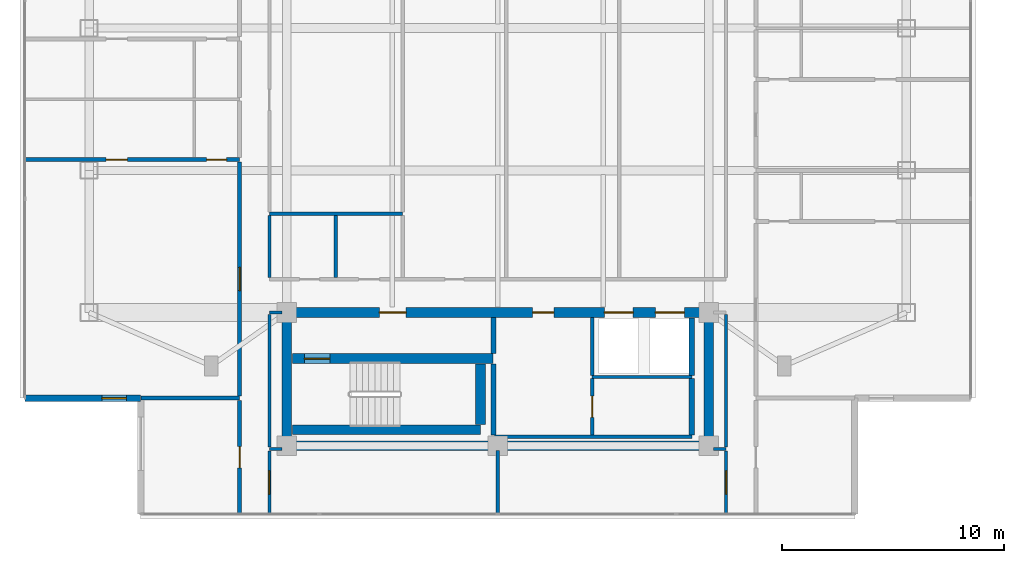
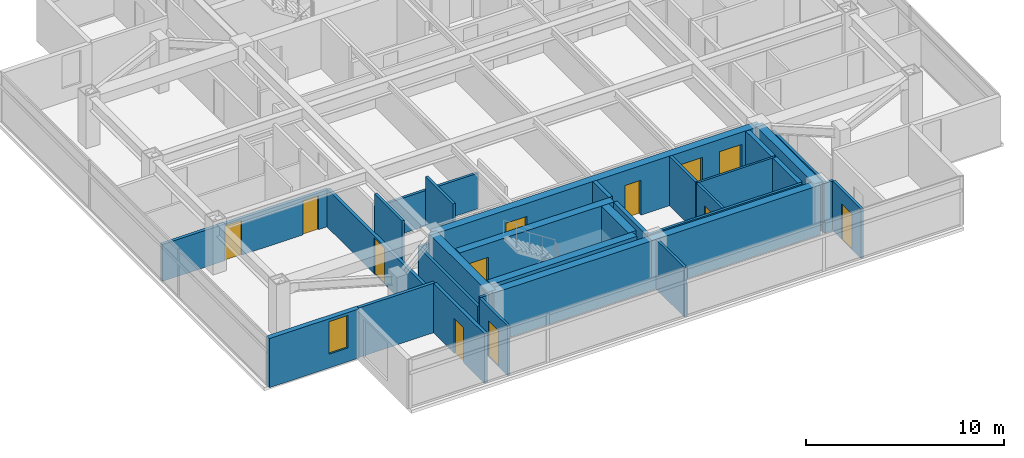
# One storey, part 11 of 21: 31 walls, 12 doors, 1 window, 13 openings.
"""IFC4 building model written with IfcOpenShell, lengths in metres."""

from ifc_helpers import new_model, si_unit, direction, frame, frame_2d, origin, place, context, subcontext, project, spatial, rectangle, extrude, material, layer, layer_set, type_object, element, fill, save


model = new_model("IFC4")

# Units and contexts
model_context = context("Model", 3, precision=1e-05, world=origin(), true_north=direction((0.0, 1.0)))
body_context = subcontext(model_context, "Body", "Model", "MODEL_VIEW")
ifc_project = project(units=[si_unit("LENGTHUNIT", "METRE"), si_unit("AREAUNIT", "SQUARE_METRE"), si_unit("VOLUMEUNIT", "CUBIC_METRE"), si_unit("PLANEANGLEUNIT", "RADIAN"), si_unit("MASSUNIT", "GRAM", prefix="KILO")], contexts=[model_context])

# Site, building, storey
site_placement = place(None, origin())
site = spatial("IfcSite", under=ifc_project, at=site_placement, CompositionType="ELEMENT")
building_placement = place(site_placement, origin())
building = spatial("IfcBuilding", under=site, at=building_placement, Name="Mirazonda Arch Towers", CompositionType="ELEMENT")
storey_placement = place(building_placement, frame((0.0, 0.0, 206.39990234375)))
storey = spatial("IfcBuildingStorey", under=building, at=storey_placement, Name="L59", CompositionType="ELEMENT", Elevation=206.39990234375)

# Walls
ifc_material_1 = material(Name="Concrete C50/60", Category="concrete")
ifc_layer_1 = layer(ifc_material_1, 0.449951171875, Name="WALL-CORE-450")
ifc_layer_set_1 = layer_set([ifc_layer_1], Name="Concrete C50/60")
wall_type_1 = type_object("IfcWallType", Name="WALL-CORE-450", PredefinedType="SHEAR", material=ifc_layer_set_1)
wall_1_placement = place(storey_placement, frame((11.0, 12.39990234375, 0.0), z_axis=(0.0, 0.0, 1.0), x_axis=(1.0, 0.0, 0.0)))
element("IfcWall", 1, at=wall_1_placement, inside=storey, type_object=wall_type_1, Name="L59 T1S-S Core Shear Wall", PredefinedType="SHEAR", context=body_context, shape_type="SweptSolid", body=[
    extrude(rectangle(XDim=19.0, YDim=0.449951171875, at=frame_2d((9.5, 0.0))), origin(), (0.0, 0.0, 1.0), 3.050048828125),
])
for number, where, z_axis, x_axis, name in (
    (2, (11.0, 12.39990234375, 0.0), (0.0, 0.0, 1.0), (0.0, 1.0, 0.0), "L59 T1S-W Core Shear Wall"),
    (3, (30.0, 12.39990234375, 0.0), (0.0, 0.0, 1.0), (0.0, 1.0, 0.0), "L59 T1S-E Core Shear Wall"),
):
    element("IfcWall", number, at=place(storey_placement, frame(where, z_axis=z_axis, x_axis=x_axis)), inside=storey, type_object=wall_type_1, Name=name, PredefinedType="SHEAR", context=body_context, shape_type="SweptSolid", body=[
        extrude(rectangle(XDim=6.0, YDim=0.449951171875, at=frame_2d((3.0, 0.0))), origin(), (0.0, 0.0, 1.0), 3.050048828125),
    ])

# Wall, openings, doors
wall_2_placement = place(storey_placement, frame((11.0, 18.39990234375, 0.0), z_axis=(0.0, 0.0, 1.0), x_axis=(1.0, 0.0, 0.0)))
wall_2 = element("IfcWall", 4, at=wall_2_placement, inside=storey, type_object=wall_type_1, Name="L59 T1S-N Core Shear Wall", PredefinedType="SHEAR", context=body_context, shape_type="SweptSolid", body=[
    extrude(rectangle(XDim=19.0, YDim=0.449951171875, at=frame_2d((9.5, 0.0))), origin(), (0.0, 0.0, 1.0), 3.050048828125),
])
opening_1_placement = place(wall_2_placement, frame((4.175048828125, 0.0, 0.0)))
opening_1 = element("IfcOpeningElement", 5, at=opening_1_placement, cuts=wall_2, Name="Opening DR-117", PredefinedType="OPENING", context=body_context, shape_type="SweptSolid", body=[
    extrude(rectangle(XDim=1.199951171875, YDim=2.25, at=frame_2d((0.60009765625, 1.125))), frame((0.0, 0.23486328125, 0.0), z_axis=(0.0, -1.0, 0.0), x_axis=(1.0, 0.0, 0.0)), (0.0, 0.0, 1.0), 0.469970703125),
])
opening_2_placement = place(wall_2_placement, frame((11.074951171875, 0.0, 0.0)))
opening_2 = element("IfcOpeningElement", 6, at=opening_2_placement, cuts=wall_2, Name="Opening DR-104", PredefinedType="OPENING", context=body_context, shape_type="SweptSolid", body=[
    extrude(rectangle(XDim=0.949951171875, YDim=2.14990234375, at=frame_2d((0.47509765625, 1.074951171875))), frame((0.0, 0.23486328125, 0.0), z_axis=(0.0, -1.0, 0.0), x_axis=(1.0, 0.0, 0.0)), (0.0, 0.0, 1.0), 0.469970703125),
])
opening_3_placement = place(wall_2_placement, frame((14.300048828125, 0.0, 0.0)))
opening_3 = element("IfcOpeningElement", 7, at=opening_3_placement, cuts=wall_2, Name="Opening LD-111", PredefinedType="OPENING", context=body_context, shape_type="SweptSolid", body=[
    extrude(rectangle(XDim=1.300048828125, YDim=2.300048828125, at=frame_2d((0.64990234375, 1.14990234375))), frame((0.0, 0.23486328125, 0.0), z_axis=(0.0, -1.0, 0.0), x_axis=(1.0, 0.0, 0.0)), (0.0, 0.0, 1.0), 0.469970703125),
])
opening_4_placement = place(wall_2_placement, frame((16.60009765625, 0.0, 0.0)))
opening_4 = element("IfcOpeningElement", 8, at=opening_4_placement, cuts=wall_2, Name="Opening LD-111", PredefinedType="OPENING", context=body_context, shape_type="SweptSolid", body=[
    extrude(rectangle(XDim=1.300048828125, YDim=2.300048828125, at=frame_2d((0.64990234375, 1.14990234375))), frame((0.0, 0.23486328125, 0.0), z_axis=(0.0, -1.0, 0.0), x_axis=(1.0, 0.0, 0.0)), (0.0, 0.0, 1.0), 0.469970703125),
])
ifc_material_2 = material(Name="Architectural Brushed Steel S355", Category="steel")
door_type_1 = type_object("IfcDoorType", Name="DOOR-FFL-FD90-1200", OperationType="NOTDEFINED", PredefinedType="DOOR", material=ifc_material_2)
door_1_placement = place(opening_1_placement, origin())
door_1 = element("IfcDoor", 9, at=door_1_placement, inside=storey, type_object=door_type_1, Name="L59 South Core Stair & Lift Lobby Door", OperationType="SINGLE_SWING_RIGHT", OverallHeight=2.25, OverallWidth=1.199951171875, PredefinedType="DOOR", context=body_context, shape_type="SweptSolid", body=[
    extrude(rectangle(XDim=1.199951171875, YDim=2.25, at=frame_2d((0.60009765625, 1.125))), frame((0.0, 0.02490234375, 0.0), z_axis=(0.0, -1.0, 0.0), x_axis=(1.0, 0.0, 0.0)), (0.0, 0.0, 1.0), 0.050048828125),
])
fill(opening_1, door_1)
door_type_2 = type_object("IfcDoorType", Name="DOOR-LIFT-LAND-1300", OperationType="NOTDEFINED", PredefinedType="DOOR", material=ifc_material_2)
door_2_placement = place(opening_3_placement, origin())
door_2 = element("IfcDoor", 10, at=door_2_placement, inside=storey, type_object=door_type_2, Name="L59 Lift Landing Sliding Door PL-T1H1", OperationType="DOUBLE_DOOR_SLIDING", OverallHeight=2.300048828125, OverallWidth=1.300048828125, PredefinedType="DOOR", context=body_context, shape_type="SweptSolid", body=[
    extrude(rectangle(XDim=1.300048828125, YDim=2.300048828125, at=frame_2d((0.64990234375, 1.14990234375))), frame((0.0, 0.02490234375, 0.0), z_axis=(0.0, -1.0, 0.0), x_axis=(1.0, 0.0, 0.0)), (0.0, 0.0, 1.0), 0.050048828125),
])
fill(opening_3, door_2)
door_3_placement = place(opening_4_placement, origin())
door_3 = element("IfcDoor", 11, at=door_3_placement, inside=storey, type_object=door_type_2, Name="L59 Lift Landing Sliding Door PL-T1H2", OperationType="DOUBLE_DOOR_SLIDING", OverallHeight=2.300048828125, OverallWidth=1.300048828125, PredefinedType="DOOR", context=body_context, shape_type="SweptSolid", body=[
    extrude(rectangle(XDim=1.300048828125, YDim=2.300048828125, at=frame_2d((0.64990234375, 1.14990234375))), frame((0.0, 0.02490234375, 0.0), z_axis=(0.0, -1.0, 0.0), x_axis=(1.0, 0.0, 0.0)), (0.0, 0.0, 1.0), 0.050048828125),
])
fill(opening_4, door_3)
door_type_3 = type_object("IfcDoorType", Name="DOOR-ROOM-950", OperationType="NOTDEFINED", PredefinedType="DOOR", material=ifc_material_2)
door_4_placement = place(opening_2_placement, origin())
door_4 = element("IfcDoor", 12, at=door_4_placement, inside=storey, type_object=door_type_3, Name="L59 Residents Wine Tasting Lounge Door", OperationType="SINGLE_SWING_RIGHT", OverallHeight=2.14990234375, OverallWidth=0.949951171875, PredefinedType="DOOR", context=body_context, shape_type="SweptSolid", body=[
    extrude(rectangle(XDim=0.949951171875, YDim=2.14990234375, at=frame_2d((0.47509765625, 1.074951171875))), frame((0.0, 0.02490234375, 0.0), z_axis=(0.0, -1.0, 0.0), x_axis=(1.0, 0.0, 0.0)), (0.0, 0.0, 1.0), 0.050048828125),
])
fill(opening_2, door_4)

# Wall
wall_3_placement = place(storey_placement, frame((11.27001953125, 13.1201171875, 0.0), z_axis=(0.0, 0.0, 1.0), x_axis=(1.0, 0.0, 0.0)))
element("IfcWall", 13, at=wall_3_placement, inside=storey, type_object=wall_type_1, Name="L59 Stair Core Shear Wall 004", PredefinedType="SHEAR", context=body_context, shape_type="SweptSolid", body=[
    extrude(rectangle(XDim=8.4599609375, YDim=0.449951171875, at=frame_2d((4.22998046875, 0.0))), origin(), (0.0, 0.0, 1.0), 3.050048828125),
])

# Wall, opening, door
wall_4_placement = place(storey_placement, frame((11.27001953125, 16.320068359375, 0.0), z_axis=(0.0, 0.0, 1.0), x_axis=(1.0, 0.0, 0.0)))
wall_4 = element("IfcWall", 14, at=wall_4_placement, inside=storey, type_object=wall_type_1, Name="L59 Stair Core Shear Wall 008", PredefinedType="SHEAR", context=body_context, shape_type="SweptSolid", body=[
    extrude(rectangle(XDim=9.010009765625, YDim=0.449951171875, at=frame_2d((4.5048828125, 0.0))), origin(), (0.0, 0.0, 1.0), 3.050048828125),
])
opening_5_placement = place(wall_4_placement, frame((0.52001953125, 0.0, 0.0)))
opening_5 = element("IfcOpeningElement", 15, at=opening_5_placement, cuts=wall_4, Name="Opening DR-135", PredefinedType="OPENING", context=body_context, shape_type="SweptSolid", body=[
    extrude(rectangle(XDim=1.14990234375, YDim=2.199951171875, at=frame_2d((0.574951171875, 1.10009765625))), frame((0.0, 0.23486328125, 0.0), z_axis=(0.0, -1.0, 0.0), x_axis=(1.0, 0.0, 0.0)), (0.0, 0.0, 1.0), 0.469970703125),
])
door_type_4 = type_object("IfcDoorType", Name="DOOR-STAIR-FD90-1150", OperationType="NOTDEFINED", PredefinedType="DOOR", material=ifc_material_2)
door_5_placement = place(opening_5_placement, origin())
door_5 = element("IfcDoor", 16, at=door_5_placement, inside=storey, type_object=door_type_4, Name="L59 Protected Exit Stair South Door", OperationType="SINGLE_SWING_LEFT", OverallHeight=2.199951171875, OverallWidth=1.14990234375, PredefinedType="DOOR", context=body_context, shape_type="SweptSolid", body=[
    extrude(rectangle(XDim=1.14990234375, YDim=2.199951171875, at=frame_2d((0.574951171875, 1.10009765625))), frame((0.0, 0.02490234375, 0.0), z_axis=(0.0, -1.0, 0.0), x_axis=(1.0, 0.0, 0.0)), (0.0, 0.0, 1.0), 0.050048828125),
])
fill(opening_5, door_5)

# Wall
wall_5_placement = place(storey_placement, frame((19.72998046875, 13.35498046875, 0.0), z_axis=(0.0, 0.0, 1.0), x_axis=(0.0, 1.0, 0.0)))
element("IfcWall", 17, at=wall_5_placement, inside=storey, type_object=wall_type_1, Name="L59 Stair Core Shear Wall 074", PredefinedType="SHEAR", context=body_context, shape_type="SweptSolid", body=[
    extrude(rectangle(XDim=2.72998046875, YDim=0.449951171875, at=frame_2d((1.364990234375, 0.0))), origin(), (0.0, 0.0, 1.0), 3.050048828125),
])

# Wall, opening, window
ifc_material_3 = material(Name="Precast Concrete C40/50", Category="concrete")
ifc_layer_2 = layer(ifc_material_3, 0.280029296875, Name="WALL-EXT-WALL-280")
ifc_layer_set_2 = layer_set([ifc_layer_2], Name="Precast Concrete C40/50")
wall_type_2 = type_object("IfcWallType", Name="WALL-EXT-WALL-280", PredefinedType="SOLIDWALL", material=ifc_layer_set_2)
wall_6_placement = place(storey_placement, frame((-0.7900390625, 14.5390625, 0.0), z_axis=(0.0, 0.0, 1.0), x_axis=(1.0, 0.0, 0.0)))
wall_6 = element("IfcWall", 18, at=wall_6_placement, inside=storey, type_object=wall_type_2, Name="L59 T1 Corner Notch Return Wall WL-L59-T1-CSW2", PredefinedType="SOLIDWALL", context=body_context, shape_type="SweptSolid", body=[
    extrude(rectangle(XDim=5.215087890625, YDim=0.280029296875, at=frame_2d((2.607421875, 0.0))), origin(), (0.0, 0.0, 1.0), 3.030029296875),
])
opening_6_placement = place(wall_6_placement, frame((3.465087890625, 0.0, 0.85009765625)))
opening_6 = element("IfcOpeningElement", 19, at=opening_6_placement, cuts=wall_6, Name="Opening WN-108", PredefinedType="OPENING", context=body_context, shape_type="SweptSolid", body=[
    extrude(rectangle(XDim=1.10009765625, YDim=2.0, at=frame_2d((0.550048828125, 1.0))), frame((0.0, 0.14990234375, 0.0), z_axis=(0.0, -1.0, 0.0), x_axis=(1.0, 0.0, 0.0)), (0.0, 0.0, 1.0), 0.300048828125),
])
ifc_material_4 = material(Name="Insulated Low-E Solar Glass", Category="glass")
window_type = type_object("IfcWindowType", Name="WIN-NOTCH-1100x2000", PartitioningType="SINGLE_PANEL", PredefinedType="WINDOW", material=ifc_material_4)
window_placement = place(opening_6_placement, origin())
window = element("IfcWindow", 20, at=window_placement, inside=storey, type_object=window_type, Name="L59 Punched Facade Window WN-L59-T1-CSW2", OverallHeight=2.0, OverallWidth=1.10009765625, PartitioningType="SINGLE_PANEL", PredefinedType="WINDOW", context=body_context, shape_type="SweptSolid", body=[
    extrude(rectangle(XDim=1.10009765625, YDim=2.0, at=frame_2d((0.550048828125, 1.0))), frame((0.0, 0.030029296875, 0.0), z_axis=(0.0, -1.0, 0.0), x_axis=(1.0, 0.0, 0.0)), (0.0, 0.0, 1.0), 0.06005859375),
])
fill(opening_6, window)

# Walls
ifc_material_5 = material(Name="Concrete C40/50", Category="concrete")
ifc_layer_3 = layer(ifc_material_5, 0.219970703125, Name="WALL-FFL-220")
ifc_layer_set_3 = layer_set([ifc_layer_3], Name="Concrete C40/50")
wall_type_3 = type_object("IfcWallType", Name="WALL-FFL-220", PredefinedType="SOLIDWALL", material=ifc_layer_set_3)
wall_7_placement = place(storey_placement, frame((20.31494140625, 12.885009765625, 0.0), z_axis=(0.0, 0.0, 1.0), x_axis=(0.0, 1.0, 0.0)))
element("IfcWall", 21, at=wall_7_placement, inside=storey, type_object=wall_type_3, Name="L59 Interior Partition 076", PredefinedType="SOLIDWALL", context=body_context, shape_type="SweptSolid", body=[
    extrude(rectangle(XDim=3.199951171875, YDim=0.219970703125, at=frame_2d((1.60009765625, 0.0))), origin(), (0.0, 0.0, 1.0), 3.050048828125),
])
wall_8_placement = place(storey_placement, frame((20.31494140625, 16.554931640625, 0.0), z_axis=(0.0, 0.0, 1.0), x_axis=(0.0, 1.0, 0.0)))
element("IfcWall", 22, at=wall_8_placement, inside=storey, type_object=wall_type_3, Name="L59 Interior Partition 077", PredefinedType="SOLIDWALL", context=body_context, shape_type="SweptSolid", body=[
    extrude(rectangle(XDim=1.625, YDim=0.219970703125, at=frame_2d((0.8125, 0.0))), origin(), (0.0, 0.0, 1.0), 3.050048828125),
])
ifc_material_6 = material(Name="Fire-Rated Gypsum Stud Partition")
ifc_layer_4 = layer(ifc_material_6, 0.14990234375, Name="WALL-PART-CORR-150")
ifc_layer_set_4 = layer_set([ifc_layer_4], Name="Fire-Rated Gypsum Stud Partition")
wall_type_4 = type_object("IfcWallType", Name="WALL-PART-CORR-150", PredefinedType="PARTITIONING", material=ifc_layer_set_4)
for number, where, z_axis, x_axis, name in (
    (23, (10.219970703125, 12.25, 0.0), (0.0, 0.0, 1.0), (1.0, 0.0, 0.0), "L59 Interior Partition 001"),
    (24, (30.219970703125, 12.25, 0.0), (0.0, 0.0, 1.0), (1.0, 0.0, 0.0), "L59 Interior Partition 002"),
):
    element("IfcWall", number, at=place(storey_placement, frame(where, z_axis=z_axis, x_axis=x_axis)), inside=storey, type_object=wall_type_4, Name=name, PredefinedType="PARTITIONING", context=body_context, shape_type="SweptSolid", body=[
        extrude(rectangle(XDim=0.56005859375, YDim=0.14990234375, at=frame_2d((0.280029296875, 0.0))), origin(), (0.0, 0.0, 1.0), 3.050048828125),
    ])
wall_9_placement = place(storey_placement, frame((20.35009765625, 12.800048828125, 0.0), z_axis=(0.0, 0.0, 1.0), x_axis=(1.0, 0.0, 0.0)))
element("IfcWall", 25, at=wall_9_placement, inside=storey, type_object=wall_type_4, Name="L59 Interior Partition 003", PredefinedType="PARTITIONING", context=body_context, shape_type="SweptSolid", body=[
    extrude(rectangle(XDim=8.89990234375, YDim=0.14990234375, at=frame_2d((4.449951171875, 0.0))), origin(), (0.0, 0.0, 1.0), 3.050048828125),
])
wall_10_placement = place(storey_placement, frame((10.219970703125, 18.39990234375, 0.0), z_axis=(0.0, 0.0, 1.0), x_axis=(1.0, 0.0, 0.0)))
element("IfcWall", 26, at=wall_10_placement, inside=storey, type_object=wall_type_4, Name="L59 Interior Partition 012", PredefinedType="PARTITIONING", context=body_context, shape_type="SweptSolid", body=[
    extrude(rectangle(XDim=0.56005859375, YDim=0.14990234375, at=frame_2d((0.280029296875, 0.0))), origin(), (0.0, 0.0, 1.0), 2.442138671875),
])
wall_11_placement = place(storey_placement, frame((10.219970703125, 22.85009765625, 0.0), z_axis=(0.0, 0.0, 1.0), x_axis=(1.0, 0.0, 0.0)))
element("IfcWall", 27, at=wall_11_placement, inside=storey, type_object=wall_type_4, Name="L59 Interior Partition 023", PredefinedType="PARTITIONING", context=body_context, shape_type="SweptSolid", body=[
    extrude(rectangle(XDim=6.0, YDim=0.14990234375, at=frame_2d((3.0, 0.0))), origin(), (0.0, 0.0, 1.0), 2.18603515625),
])

# Wall, opening, door
wall_12_placement = place(storey_placement, frame((10.219970703125, 9.323974609375, 0.0), z_axis=(0.0, 0.0, 1.0), x_axis=(0.0, 1.0, 0.0)))
wall_12 = element("IfcWall", 28, at=wall_12_placement, inside=storey, type_object=wall_type_4, Name="L59 Interior Partition 063", PredefinedType="PARTITIONING", context=body_context, shape_type="SweptSolid", body=[
    extrude(rectangle(XDim=2.841064453125, YDim=0.14990234375, at=frame_2d((1.42041015625, 0.0))), origin(), (0.0, 0.0, 1.0), 3.050048828125),
])
opening_7_placement = place(wall_12_placement, frame((0.8955078125, 0.0, 0.0)))
opening_7 = element("IfcOpeningElement", 29, at=opening_7_placement, cuts=wall_12, Name="Opening DR-121", PredefinedType="OPENING", context=body_context, shape_type="SweptSolid", body=[
    extrude(rectangle(XDim=1.050048828125, YDim=2.199951171875, at=frame_2d((0.52490234375, 1.10009765625))), frame((0.0, 0.0849609375, 0.0), z_axis=(0.0, -1.0, 0.0), x_axis=(1.0, 0.0, 0.0)), (0.0, 0.0, 1.0), 0.169921875),
])
door_type_5 = type_object("IfcDoorType", Name="DOOR-SUITE-FD60-1050", OperationType="NOTDEFINED", PredefinedType="DOOR", material=ifc_material_2)
door_6_placement = place(opening_7_placement, origin())
door_6 = element("IfcDoor", 30, at=door_6_placement, inside=storey, type_object=door_type_5, Name="L59 South Horizon Lounge West Door", OperationType="SINGLE_SWING_LEFT", OverallHeight=2.199951171875, OverallWidth=1.050048828125, PredefinedType="DOOR", context=body_context, shape_type="SweptSolid", body=[
    extrude(rectangle(XDim=1.050048828125, YDim=2.199951171875, at=frame_2d((0.52490234375, 1.10009765625))), frame((0.0, 0.02490234375, 0.0), z_axis=(0.0, -1.0, 0.0), x_axis=(1.0, 0.0, 0.0)), (0.0, 0.0, 1.0), 0.050048828125),
])
fill(opening_7, door_6)

# Walls
wall_13_placement = place(storey_placement, frame((10.219970703125, 12.3349609375, 0.0), z_axis=(0.0, 0.0, 1.0), x_axis=(0.0, 1.0, 0.0)))
element("IfcWall", 31, at=wall_13_placement, inside=storey, type_object=wall_type_4, Name="L59 Interior Partition 064", PredefinedType="PARTITIONING", context=body_context, shape_type="SweptSolid", body=[
    extrude(rectangle(XDim=5.97998046875, YDim=0.14990234375, at=frame_2d((2.989990234375, 0.0))), origin(), (0.0, 0.0, 1.0), 2.442138671875),
])
for number, where, z_axis, x_axis, name in (
    (32, (10.219970703125, 19.985107421875, 0.0), (0.0, 0.0, 1.0), (0.0, 1.0, 0.0), "L59 Interior Partition 065"),
    (33, (13.199951171875, 19.985107421875, 0.0), (0.0, 0.0, 1.0), (0.0, 1.0, 0.0), "L59 Interior Partition 070"),
):
    element("IfcWall", number, at=place(storey_placement, frame(where, z_axis=z_axis, x_axis=x_axis)), inside=storey, type_object=wall_type_4, Name=name, PredefinedType="PARTITIONING", context=body_context, shape_type="SweptSolid", body=[
        extrude(rectangle(XDim=2.77978515625, YDim=0.14990234375, at=frame_2d((1.389892578125, 0.0))), origin(), (0.0, 0.0, 1.0), 3.050048828125),
    ])
wall_14_placement = place(storey_placement, frame((20.5, 9.323974609375, 0.0), z_axis=(0.0, 0.0, 1.0), x_axis=(0.0, 1.0, 0.0)))
element("IfcWall", 34, at=wall_14_placement, inside=storey, type_object=wall_type_4, Name="L59 Interior Partition 079", PredefinedType="PARTITIONING", context=body_context, shape_type="SweptSolid", body=[
    extrude(rectangle(XDim=2.85595703125, YDim=0.14990234375, at=frame_2d((1.427978515625, 0.0))), origin(), (0.0, 0.0, 1.0), 3.050048828125),
])

# Wall, opening, door
wall_15_placement = place(storey_placement, frame((24.75, 12.885009765625, 0.0), z_axis=(0.0, 0.0, 1.0), x_axis=(0.0, 1.0, 0.0)))
wall_15 = element("IfcWall", 35, at=wall_15_placement, inside=storey, type_object=wall_type_4, Name="L59 Interior Partition 082", PredefinedType="PARTITIONING", context=body_context, shape_type="SweptSolid", body=[
    extrude(rectangle(XDim=2.54248046875, YDim=0.14990234375, at=frame_2d((1.271240234375, 0.0))), origin(), (0.0, 0.0, 1.0), 3.050048828125),
])
opening_8_placement = place(wall_15_placement, frame((0.79638671875, 0.0, 0.0)))
opening_8 = element("IfcOpeningElement", 36, at=opening_8_placement, cuts=wall_15, Name="Opening DR-104", PredefinedType="OPENING", context=body_context, shape_type="SweptSolid", body=[
    extrude(rectangle(XDim=0.949951171875, YDim=2.14990234375, at=frame_2d((0.47509765625, 1.074951171875))), frame((0.0, 0.0849609375, 0.0), z_axis=(0.0, -1.0, 0.0), x_axis=(1.0, 0.0, 0.0)), (0.0, 0.0, 1.0), 0.169921875),
])
door_7_placement = place(opening_8_placement, origin())
door_7 = element("IfcDoor", 37, at=door_7_placement, inside=storey, type_object=door_type_3, Name="L59 Residents Private Archive Study Door", OperationType="SINGLE_SWING_LEFT", OverallHeight=2.14990234375, OverallWidth=0.949951171875, PredefinedType="DOOR", context=body_context, shape_type="SweptSolid", body=[
    extrude(rectangle(XDim=0.949951171875, YDim=2.14990234375, at=frame_2d((0.47509765625, 1.074951171875))), frame((0.0, 0.02490234375, 0.0), z_axis=(0.0, -1.0, 0.0), x_axis=(1.0, 0.0, 0.0)), (0.0, 0.0, 1.0), 0.050048828125),
])
fill(opening_8, door_7)

# Wall
wall_16_placement = place(storey_placement, frame((24.75, 15.572509765625, 0.0), z_axis=(0.0, 0.0, 1.0), x_axis=(0.0, 1.0, 0.0)))
element("IfcWall", 38, at=wall_16_placement, inside=storey, type_object=wall_type_4, Name="L59 Interior Partition 083", PredefinedType="PARTITIONING", context=body_context, shape_type="SweptSolid", body=[
    extrude(rectangle(XDim=2.607421875, YDim=0.14990234375, at=frame_2d((1.3037109375, 0.0))), origin(), (0.0, 0.0, 1.0), 3.050048828125),
])

# Wall, opening, door
wall_17_placement = place(storey_placement, frame((30.780029296875, 9.323974609375, 0.0), z_axis=(0.0, 0.0, 1.0), x_axis=(0.0, 1.0, 0.0)))
wall_17 = element("IfcWall", 39, at=wall_17_placement, inside=storey, type_object=wall_type_4, Name="L59 Interior Partition 092", PredefinedType="PARTITIONING", context=body_context, shape_type="SweptSolid", body=[
    extrude(rectangle(XDim=2.841064453125, YDim=0.14990234375, at=frame_2d((1.42041015625, 0.0))), origin(), (0.0, 0.0, 1.0), 3.050048828125),
])
opening_9_placement = place(wall_17_placement, frame((0.8955078125, 0.0, 0.0)))
opening_9 = element("IfcOpeningElement", 40, at=opening_9_placement, cuts=wall_17, Name="Opening DR-121", PredefinedType="OPENING", context=body_context, shape_type="SweptSolid", body=[
    extrude(rectangle(XDim=1.050048828125, YDim=2.199951171875, at=frame_2d((0.52490234375, 1.10009765625))), frame((0.0, 0.0849609375, 0.0), z_axis=(0.0, -1.0, 0.0), x_axis=(1.0, 0.0, 0.0)), (0.0, 0.0, 1.0), 0.169921875),
])
door_8_placement = place(opening_9_placement, origin())
door_8 = element("IfcDoor", 41, at=door_8_placement, inside=storey, type_object=door_type_5, Name="L59 South Horizon Lounge East Door", OperationType="SINGLE_SWING_RIGHT", OverallHeight=2.199951171875, OverallWidth=1.050048828125, PredefinedType="DOOR", context=body_context, shape_type="SweptSolid", body=[
    extrude(rectangle(XDim=1.050048828125, YDim=2.199951171875, at=frame_2d((0.52490234375, 1.10009765625))), frame((0.0, 0.02490234375, 0.0), z_axis=(0.0, -1.0, 0.0), x_axis=(1.0, 0.0, 0.0)), (0.0, 0.0, 1.0), 0.050048828125),
])
fill(opening_9, door_8)

# Walls
wall_18_placement = place(storey_placement, frame((30.780029296875, 12.3349609375, 0.0), z_axis=(0.0, 0.0, 1.0), x_axis=(0.0, 1.0, 0.0)))
element("IfcWall", 42, at=wall_18_placement, inside=storey, type_object=wall_type_4, Name="L59 Interior Partition 093", PredefinedType="PARTITIONING", context=body_context, shape_type="SweptSolid", body=[
    extrude(rectangle(XDim=5.97998046875, YDim=0.14990234375, at=frame_2d((2.989990234375, 0.0))), origin(), (0.0, 0.0, 1.0), 2.442138671875),
])
ifc_material_7 = material(Name="Fire-Rated Gypsum Twin-Stud Assembly")
ifc_layer_5 = layer(ifc_material_7, 0.179931640625, Name="WALL-PART-DEMISE-180")
ifc_layer_set_5 = layer_set([ifc_layer_5], Name="Fire-Rated Gypsum Twin-Stud Assembly")
wall_type_5 = type_object("IfcWallType", Name="WALL-PART-DEMISE-180", PredefinedType="PARTITIONING", material=ifc_layer_set_5)
wall_19_placement = place(storey_placement, frame((4.445068359375, 14.5390625, 0.0), z_axis=(0.0, 0.0, 1.0), x_axis=(1.0, 0.0, 0.0)))
element("IfcWall", 43, at=wall_19_placement, inside=storey, type_object=wall_type_5, Name="L59 Interior Partition 005", PredefinedType="PARTITIONING", context=body_context, shape_type="SweptSolid", body=[
    extrude(rectangle(XDim=4.434814453125, YDim=0.179931640625, at=frame_2d((2.21728515625, 0.0))), origin(), (0.0, 0.0, 1.0), 3.050048828125),
])

# Wall, openings, doors
wall_20_placement = place(storey_placement, frame((-0.7900390625, 25.280029296875, 0.0), z_axis=(0.0, 0.0, 1.0), x_axis=(1.0, 0.0, 0.0)))
wall_20 = element("IfcWall", 44, at=wall_20_placement, inside=storey, type_object=wall_type_5, Name="L59 Interior Partition 026", PredefinedType="PARTITIONING", context=body_context, shape_type="SweptSolid", body=[
    extrude(rectangle(XDim=9.669921875, YDim=0.179931640625, at=frame_2d((4.8349609375, 0.0))), origin(), (0.0, 0.0, 1.0), 2.26904296875),
])
opening_10_placement = place(wall_20_placement, frame((3.659912109375, 0.0, 0.0)))
opening_10 = element("IfcOpeningElement", 45, at=opening_10_placement, cuts=wall_20, Name="Opening DR-104", PredefinedType="OPENING", context=body_context, shape_type="SweptSolid", body=[
    extrude(rectangle(XDim=0.949951171875, YDim=2.14990234375, at=frame_2d((0.47509765625, 1.074951171875))), frame((0.0, 0.099853515625, 0.0), z_axis=(0.0, -1.0, 0.0), x_axis=(1.0, 0.0, 0.0)), (0.0, 0.0, 1.0), 0.199951171875),
])
opening_11_placement = place(wall_20_placement, frame((8.179931640625, 0.0, 0.0)))
opening_11 = element("IfcOpeningElement", 46, at=opening_11_placement, cuts=wall_20, Name="Opening DR-120", PredefinedType="OPENING", context=body_context, shape_type="SweptSolid", body=[
    extrude(rectangle(XDim=0.89990234375, YDim=2.10009765625, at=frame_2d((0.449951171875, 1.050048828125))), frame((0.0, 0.099853515625, 0.0), z_axis=(0.0, -1.0, 0.0), x_axis=(1.0, 0.0, 0.0)), (0.0, 0.0, 1.0), 0.199951171875),
])
door_9_placement = place(opening_10_placement, origin())
door_9 = element("IfcDoor", 47, at=door_9_placement, inside=storey, type_object=door_type_3, Name="L59 Suite Bedroom 1 Door", OperationType="SINGLE_SWING_RIGHT", OverallHeight=2.14990234375, OverallWidth=0.949951171875, PredefinedType="DOOR", context=body_context, shape_type="SweptSolid", body=[
    extrude(rectangle(XDim=0.949951171875, YDim=2.14990234375, at=frame_2d((0.47509765625, 1.074951171875))), frame((0.0, 0.02490234375, 0.0), z_axis=(0.0, -1.0, 0.0), x_axis=(1.0, 0.0, 0.0)), (0.0, 0.0, 1.0), 0.050048828125),
])
fill(opening_10, door_9)
door_type_6 = type_object("IfcDoorType", Name="DOOR-WC-900", OperationType="NOTDEFINED", PredefinedType="DOOR", material=ifc_material_2)
door_10_placement = place(opening_11_placement, origin())
door_10 = element("IfcDoor", 48, at=door_10_placement, inside=storey, type_object=door_type_6, Name="L59 Suite En-Suite Bathroom 1 Door", OperationType="SINGLE_SWING_LEFT", OverallHeight=2.10009765625, OverallWidth=0.89990234375, PredefinedType="DOOR", context=body_context, shape_type="SweptSolid", body=[
    extrude(rectangle(XDim=0.89990234375, YDim=2.10009765625, at=frame_2d((0.449951171875, 1.050048828125))), frame((0.0, 0.02490234375, 0.0), z_axis=(0.0, -1.0, 0.0), x_axis=(1.0, 0.0, 0.0)), (0.0, 0.0, 1.0), 0.050048828125),
])
fill(opening_11, door_10)

# Wall, opening, door
wall_21_placement = place(storey_placement, frame((8.8798828125, 9.323974609375, 0.0), z_axis=(0.0, 0.0, 1.0), x_axis=(0.0, 1.0, 0.0)))
wall_21 = element("IfcWall", 49, at=wall_21_placement, inside=storey, type_object=wall_type_5, Name="L59 Interior Partition 057", PredefinedType="PARTITIONING", context=body_context, shape_type="SweptSolid", body=[
    extrude(rectangle(XDim=5.114990234375, YDim=0.179931640625, at=frame_2d((2.5576171875, 0.0))), origin(), (0.0, 0.0, 1.0), 3.050048828125),
])
opening_12_placement = place(wall_21_placement, frame((2.08251953125, 0.0, 0.0)))
opening_12 = element("IfcOpeningElement", 50, at=opening_12_placement, cuts=wall_21, Name="Opening DR-104", PredefinedType="OPENING", context=body_context, shape_type="SweptSolid", body=[
    extrude(rectangle(XDim=0.949951171875, YDim=2.14990234375, at=frame_2d((0.47509765625, 1.074951171875))), frame((0.0, 0.099853515625, 0.0), z_axis=(0.0, -1.0, 0.0), x_axis=(1.0, 0.0, 0.0)), (0.0, 0.0, 1.0), 0.199951171875),
])
door_11_placement = place(opening_12_placement, origin())
door_11 = element("IfcDoor", 51, at=door_11_placement, inside=storey, type_object=door_type_3, Name="L59 South Horizon Lounge Alcove West Door", OperationType="SINGLE_SWING_LEFT", OverallHeight=2.14990234375, OverallWidth=0.949951171875, PredefinedType="DOOR", context=body_context, shape_type="SweptSolid", body=[
    extrude(rectangle(XDim=0.949951171875, YDim=2.14990234375, at=frame_2d((0.47509765625, 1.074951171875))), frame((0.0, 0.02490234375, 0.0), z_axis=(0.0, -1.0, 0.0), x_axis=(1.0, 0.0, 0.0)), (0.0, 0.0, 1.0), 0.050048828125),
])
fill(opening_12, door_11)

wall_22_placement = place(storey_placement, frame((8.8798828125, 14.638916015625, 0.0), z_axis=(0.0, 0.0, 1.0), x_axis=(0.0, 1.0, 0.0)))
wall_22 = element("IfcWall", 52, at=wall_22_placement, inside=storey, type_object=wall_type_5, Name="L59 Interior Partition 058", PredefinedType="PARTITIONING", context=body_context, shape_type="SweptSolid", body=[
    extrude(rectangle(XDim=10.541015625, YDim=0.179931640625, at=frame_2d((5.2705078125, 0.0))), origin(), (0.0, 0.0, 1.0), 2.34619140625),
])
opening_13_placement = place(wall_22_placement, frame((4.74560546875, 0.0, 0.0)))
opening_13 = element("IfcOpeningElement", 53, at=opening_13_placement, cuts=wall_22, Name="Opening DR-121", PredefinedType="OPENING", context=body_context, shape_type="SweptSolid", body=[
    extrude(rectangle(XDim=1.050048828125, YDim=2.199951171875, at=frame_2d((0.52490234375, 1.10009765625))), frame((0.0, 0.099853515625, 0.0), z_axis=(0.0, -1.0, 0.0), x_axis=(1.0, 0.0, 0.0)), (0.0, 0.0, 1.0), 0.199951171875),
])
door_12_placement = place(opening_13_placement, origin())
door_12 = element("IfcDoor", 54, at=door_12_placement, inside=storey, type_object=door_type_5, Name="L59 Presidential Hotel Suite 1 Door", OperationType="SINGLE_SWING_LEFT", OverallHeight=2.199951171875, OverallWidth=1.050048828125, PredefinedType="DOOR", context=body_context, shape_type="SweptSolid", body=[
    extrude(rectangle(XDim=1.050048828125, YDim=2.199951171875, at=frame_2d((0.52490234375, 1.10009765625))), frame((0.0, 0.02490234375, 0.0), z_axis=(0.0, -1.0, 0.0), x_axis=(1.0, 0.0, 0.0)), (0.0, 0.0, 1.0), 0.050048828125),
])
fill(opening_13, door_12)

# Walls
ifc_material_8 = material(Name="Acoustic Fire-Rated Gypsum Partition")
ifc_layer_6 = layer(ifc_material_8, 0.125, Name="WALL-PART-UNIT-125")
ifc_layer_set_6 = layer_set([ifc_layer_6], Name="Acoustic Fire-Rated Gypsum Partition")
wall_type_6 = type_object("IfcWallType", Name="WALL-PART-UNIT-125", PredefinedType="PARTITIONING", material=ifc_layer_set_6)
wall_23_placement = place(storey_placement, frame((24.75, 15.5, 0.0), z_axis=(0.0, 0.0, 1.0), x_axis=(1.0, 0.0, 0.0)))
element("IfcWall", 55, at=wall_23_placement, inside=storey, type_object=wall_type_6, Name="L59 Interior Partition 007", PredefinedType="PARTITIONING", context=body_context, shape_type="SweptSolid", body=[
    extrude(rectangle(XDim=4.5, YDim=0.125, at=frame_2d((2.25, 0.0))), origin(), (0.0, 0.0, 1.0), 3.050048828125),
])
ifc_layer_7 = layer(ifc_material_5, 0.25, Name="WALL-SHAFT-250")
ifc_layer_set_7 = layer_set([ifc_layer_7], Name="Concrete C40/50")
wall_type_7 = type_object("IfcWallType", Name="WALL-SHAFT-250", PredefinedType="SOLIDWALL", material=ifc_layer_set_7)
wall_24_placement = place(storey_placement, frame((29.22509765625, 12.885009765625, 0.0), z_axis=(0.0, 0.0, 1.0), x_axis=(0.0, 1.0, 0.0)))
element("IfcWall", 56, at=wall_24_placement, inside=storey, type_object=wall_type_7, Name="L59 Interior Partition 088", PredefinedType="SOLIDWALL", context=body_context, shape_type="SweptSolid", body=[
    extrude(rectangle(XDim=2.54248046875, YDim=0.25, at=frame_2d((1.271240234375, 0.0))), origin(), (0.0, 0.0, 1.0), 3.050048828125),
])
wall_25_placement = place(storey_placement, frame((29.22509765625, 15.572509765625, 0.0), z_axis=(0.0, 0.0, 1.0), x_axis=(0.0, 1.0, 0.0)))
element("IfcWall", 57, at=wall_25_placement, inside=storey, type_object=wall_type_7, Name="L59 Interior Partition 089", PredefinedType="SOLIDWALL", context=body_context, shape_type="SweptSolid", body=[
    extrude(rectangle(XDim=2.577392578125, YDim=0.25, at=frame_2d((1.28857421875, 0.0))), origin(), (0.0, 0.0, 1.0), 3.050048828125),
])

save(model, "model.ifc")
